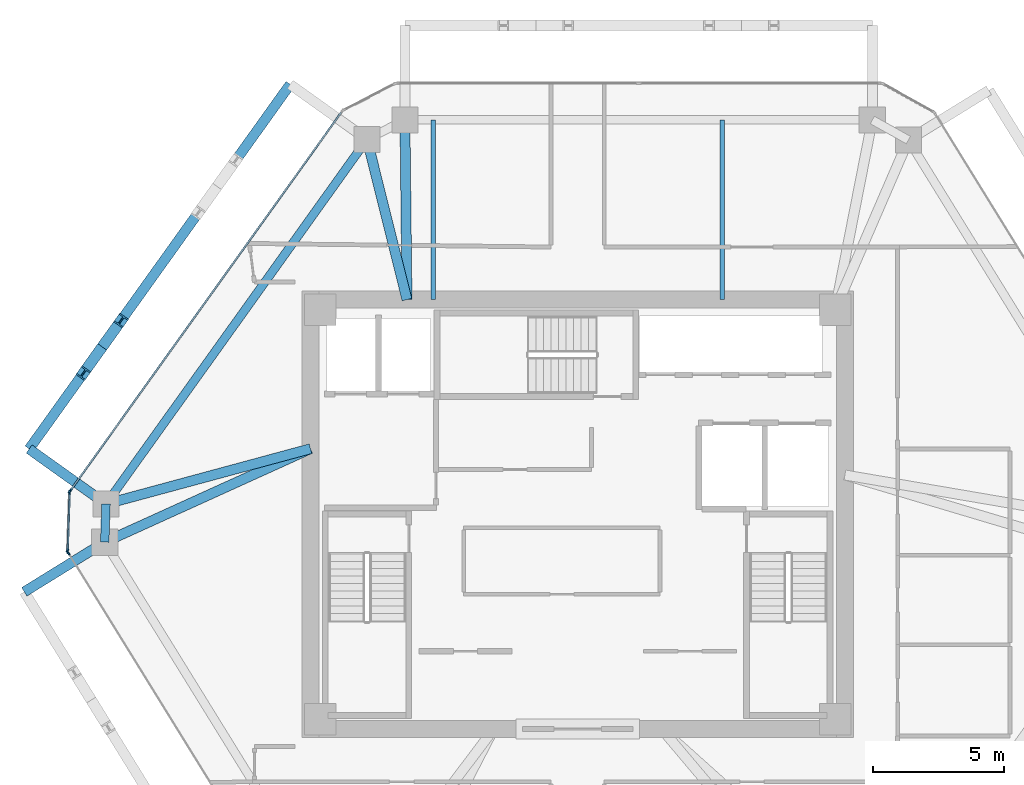
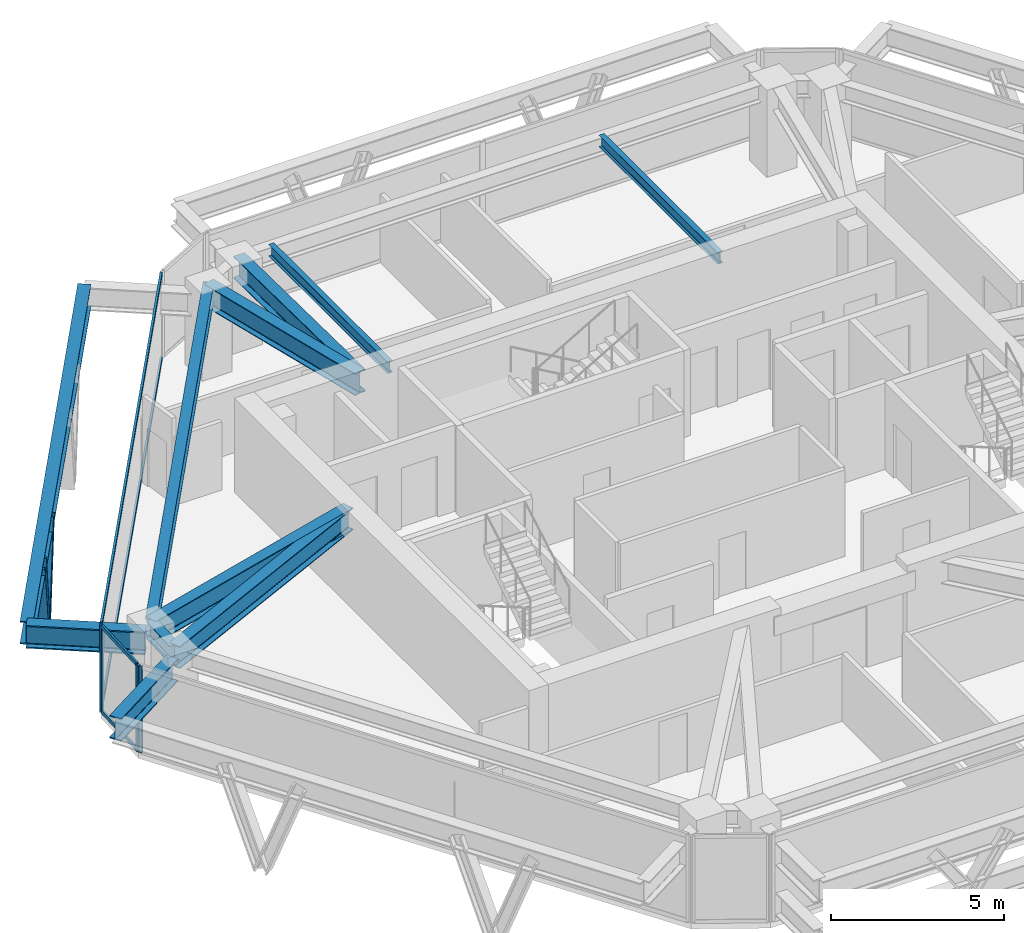
# One storey, part 4 of 11: 11 beams, 10 members, 3 elements without a shape of their own.
"""IFC4 building model written with IfcOpenShell, lengths in metres."""

from ifc_helpers import new_model, si_unit, direction, frame, origin, origin_2d, place, context, subcontext, project, spatial, rectangle, i_section, extrude, source, transform, mapped, material, layer, layer_set, material_profile, profile_set, type_object, type_shapes, element, aggregate, save


model = new_model("IFC4")

# Units and contexts
model_context = context("Model", 3, precision=1e-05, world=origin(), true_north=direction((0.0, 1.0)))
body_context = subcontext(model_context, "Body", "Model", "MODEL_VIEW")
ifc_project = project(units=[si_unit("LENGTHUNIT", "METRE"), si_unit("AREAUNIT", "SQUARE_METRE"), si_unit("VOLUMEUNIT", "CUBIC_METRE"), si_unit("PLANEANGLEUNIT", "RADIAN"), si_unit("MASSUNIT", "GRAM", prefix="KILO")], contexts=[model_context])

# Site, building, storey
site_placement = place(None, origin())
site = spatial("IfcSite", under=ifc_project, at=site_placement, CompositionType="ELEMENT")
building_placement = place(site_placement, origin())
building = spatial("IfcBuilding", under=site, at=building_placement, Name="Durnholm Broadcast Tower", CompositionType="ELEMENT")
storey_placement = place(building_placement, frame((0.0, 0.0, 170.5)))
storey = spatial("IfcBuildingStorey", under=building, at=storey_placement, Name="L46", CompositionType="ELEMENT", Elevation=170.5)

# Beams
ifc_material_1 = material(Name="Steel ASTM A992 Grade 50", Category="steel")
ifc_material_profile_1 = material_profile(ifc_material_1, i_section(OverallWidth=0.385009765625, OverallDepth=0.802978515625, WebThickness=0.023681640625, FlangeThickness=0.0419921875, FilletRadius=0.032958984375, at=origin_2d()), Name="W30X261")
ifc_profile_set_1 = profile_set([ifc_material_profile_1], Name="Steel ASTM A992 Grade 50")
beam_type_1 = type_object("IfcBeamType", Name="BM-EXO-TIE", PredefinedType="USERDEFINED", material=ifc_profile_set_1)
shared_shape_1 = source(origin(), body_context, "Body", "SweptSolid", [
    extrude(i_section(OverallWidth=0.385009765625, OverallDepth=0.802978515625, WebThickness=0.023681640625, FlangeThickness=0.0419921875, FilletRadius=0.032958984375, at=origin_2d()), origin(), (0.0, 0.0, 1.0), 3.4560546875),
])
beam_1_placement = place(storey_placement, frame((-18.131591796875, -1.13232421875, 2.30859375), z_axis=(-0.850662348375, -0.525712439512, 0.0), x_axis=(0.525712439512, -0.850662348375, 0.0)))
element("IfcBeam", 1, at=beam_1_placement, inside=storey, type_object=beam_type_1, Name="L46 exoskeleton stand-off tie bracket F6.1", ObjectType="GIRDER", PredefinedType="USERDEFINED", context=body_context, shape_type="MappedRepresentation", body=[
    mapped(shared_shape_1, transform((0.0, 0.0, 0.0), x_axis=(1.0, 0.0, 0.0), y_axis=(0.0, 1.0, 0.0), z_axis=(0.0, 0.0, 1.0), scale=1.0)),
])
shared_shape_2 = source(origin(), body_context, "Body", "SweptSolid", [
    extrude(i_section(OverallWidth=0.385009765625, OverallDepth=0.802978515625, WebThickness=0.023681640625, FlangeThickness=0.0419921875, FilletRadius=0.032958984375, at=origin_2d()), origin(), (0.0, 0.0, 1.0), 3.455810546875),
])
beam_2_placement = place(storey_placement, frame((-18.076904296875, 0.4794921875, 2.30859375), z_axis=(-0.813112485828, 0.582106592808, 0.0), x_axis=(-0.582106592808, -0.813112485828, 0.0)))
element("IfcBeam", 2, at=beam_2_placement, inside=storey, type_object=beam_type_1, Name="L46 exoskeleton stand-off tie bracket F5.2", ObjectType="GIRDER", PredefinedType="USERDEFINED", context=body_context, shape_type="MappedRepresentation", body=[
    mapped(shared_shape_2, transform((0.0, 0.0, 0.0), x_axis=(1.0, 0.0, 0.0), y_axis=(0.0, 1.0, 0.0), z_axis=(0.0, 0.0, 1.0), scale=1.0)),
])
ifc_material_profile_2 = material_profile(ifc_material_1, i_section(OverallWidth=0.3251953125, OverallDepth=0.6162109375, WebThickness=0.013916015625, FlangeThickness=0.021484375, FilletRadius=0.02783203125, at=origin_2d()), Name="W24X117")
ifc_profile_set_2 = profile_set([ifc_material_profile_2], Name="Steel ASTM A992 Grade 50")
beam_type_2 = type_object("IfcBeamType", Name="STL-SP-W24X117", PredefinedType="SPANDREL", material=ifc_profile_set_2)
shared_shape_3 = source(origin(), body_context, "Body", "SweptSolid", [
    extrude(i_section(OverallWidth=0.3251953125, OverallDepth=0.6162109375, WebThickness=0.013916015625, FlangeThickness=0.021484375, FilletRadius=0.02783203125, at=origin_2d()), origin(), (0.0, 0.0, 1.0), 1.452880859375),
])
beam_3_placement = place(storey_placement, frame((-18.009033203125, -1.056640625, 2.73681640625), z_axis=(0.03377359304, 0.999429509477, 0.0), x_axis=(-0.999429509477, 0.03377359304, 0.0)))
element("IfcBeam", 3, at=beam_3_placement, inside=storey, type_object=beam_type_2, Name="L46 perimeter spandrel girder 02", PredefinedType="SPANDREL", context=body_context, shape_type="MappedRepresentation", body=[
    mapped(shared_shape_3, transform((0.0, 0.0, 0.0), x_axis=(1.0, 0.0, 0.0), y_axis=(0.0, 1.0, 0.0), z_axis=(0.0, 0.0, 1.0), scale=1.0)),
])
shared_shape_4 = source(origin(), body_context, "Body", "SweptSolid", [
    extrude(i_section(OverallWidth=0.3251953125, OverallDepth=0.6162109375, WebThickness=0.013916015625, FlangeThickness=0.021484375, FilletRadius=0.02783203125, at=origin_2d()), origin(), (0.0, 0.0, 1.0), 17.07177734375),
])
type_shapes(beam_type_2, [shared_shape_3, shared_shape_4])
beam_4_placement = place(storey_placement, frame((-17.9599609375, 0.3955078125, 2.73681640625), z_axis=(0.582142843258, 0.813086532937, 0.0), x_axis=(-0.813086532937, 0.582142843258, 0.0)))
element("IfcBeam", 4, at=beam_4_placement, inside=storey, type_object=beam_type_2, Name="L46 perimeter spandrel girder 03", PredefinedType="SPANDREL", context=body_context, shape_type="MappedRepresentation", body=[
    mapped(shared_shape_4, transform((0.0, 0.0, 0.0), x_axis=(1.0, 0.0, 0.0), y_axis=(0.0, 1.0, 0.0), z_axis=(0.0, 0.0, 1.0), scale=1.0)),
])
shared_shape_5 = source(origin(), body_context, "Body", "SweptSolid", [
    extrude(i_section(OverallWidth=0.385009765625, OverallDepth=0.802978515625, WebThickness=0.023681640625, FlangeThickness=0.0419921875, FilletRadius=0.032958984375, at=origin_2d()), origin(), (0.0, 0.0, 1.0), 17.07177734375),
])
type_shapes(beam_type_1, [shared_shape_1, shared_shape_2, shared_shape_5])
beam_5_placement = place(storey_placement, frame((-10.948974609375, 16.3720703125, 2.30859375), z_axis=(-0.582133388739, -0.813093301974, 0.0), x_axis=(0.813093301974, -0.582133388739, 0.0)))
element("IfcBeam", 5, at=beam_5_placement, inside=storey, type_object=beam_type_1, Name="L46 exoskeleton collector spandrel F5", PredefinedType="SPANDREL", context=body_context, shape_type="MappedRepresentation", body=[
    mapped(shared_shape_5, transform((0.0, 0.0, 0.0), x_axis=(1.0, 0.0, 0.0), y_axis=(0.0, 1.0, 0.0), z_axis=(0.0, 0.0, 1.0), scale=1.0)),
])
ifc_material_profile_3 = material_profile(ifc_material_1, i_section(OverallWidth=0.380615234375, OverallDepth=0.773193359375, WebThickness=0.0166015625, FlangeThickness=0.027099609375, FilletRadius=0.032958984375, at=origin_2d()), Name="W30X173")
ifc_profile_set_3 = profile_set([ifc_material_profile_3], Name="Steel ASTM A992 Grade 50")
beam_type_3 = type_object("IfcBeamType", Name="STL-GR-W30X173", PredefinedType="USERDEFINED", material=ifc_profile_set_3)
shared_shape_6 = source(origin(), body_context, "Body", "SweptSolid", [
    extrude(i_section(OverallWidth=0.380615234375, OverallDepth=0.773193359375, WebThickness=0.0166015625, FlangeThickness=0.027099609375, FilletRadius=0.032958984375, at=origin_2d()), origin(), (0.0, 0.0, 1.0), 8.603515625),
])
beam_6_placement = place(storey_placement, frame((-10.175048828125, 2.5, 2.658447265625), z_axis=(-0.910552971728, -0.413392411248, 0.0), x_axis=(0.413392411248, -0.910552971728, 0.0)))
element("IfcBeam", 6, at=beam_6_placement, inside=storey, type_object=beam_type_3, Name="L46 radial primary floor girder 02", ObjectType="GIRDER", PredefinedType="USERDEFINED", context=body_context, shape_type="MappedRepresentation", body=[
    mapped(shared_shape_6, transform((0.0, 0.0, 0.0), x_axis=(1.0, 0.0, 0.0), y_axis=(0.0, 1.0, 0.0), z_axis=(0.0, 0.0, 1.0), scale=1.0)),
])
shared_shape_7 = source(origin(), body_context, "Body", "SweptSolid", [
    extrude(i_section(OverallWidth=0.380615234375, OverallDepth=0.773193359375, WebThickness=0.0166015625, FlangeThickness=0.027099609375, FilletRadius=0.032958984375, at=origin_2d()), origin(), (0.0, 0.0, 1.0), 8.064453125),
])
beam_7_placement = place(storey_placement, frame((-10.175048828125, 2.5, 2.658447265625), z_axis=(-0.96534896552, -0.260962401066, 0.0), x_axis=(0.260962401066, -0.96534896552, 0.0)))
element("IfcBeam", 7, at=beam_7_placement, inside=storey, type_object=beam_type_3, Name="L46 radial primary floor girder 03", ObjectType="GIRDER", PredefinedType="USERDEFINED", context=body_context, shape_type="MappedRepresentation", body=[
    mapped(shared_shape_7, transform((0.0, 0.0, 0.0), x_axis=(1.0, 0.0, 0.0), y_axis=(0.0, 1.0, 0.0), z_axis=(0.0, 0.0, 1.0), scale=1.0)),
])
shared_shape_8 = source(origin(), body_context, "Body", "SweptSolid", [
    extrude(i_section(OverallWidth=0.380615234375, OverallDepth=0.773193359375, WebThickness=0.0166015625, FlangeThickness=0.027099609375, FilletRadius=0.032958984375, at=origin_2d()), origin(), (0.0, 0.0, 1.0), 6.288330078125),
])
beam_8_placement = place(storey_placement, frame((-6.5, 8.175048828125, 2.658447265625), z_axis=(-0.241996604408, 0.970277096223, 0.0), x_axis=(-0.970277096223, -0.241996604408, 0.0)))
element("IfcBeam", 8, at=beam_8_placement, inside=storey, type_object=beam_type_3, Name="L46 radial primary floor girder 04", ObjectType="GIRDER", PredefinedType="USERDEFINED", context=body_context, shape_type="MappedRepresentation", body=[
    mapped(shared_shape_8, transform((0.0, 0.0, 0.0), x_axis=(1.0, 0.0, 0.0), y_axis=(0.0, 1.0, 0.0), z_axis=(0.0, 0.0, 1.0), scale=1.0)),
])
shared_shape_9 = source(origin(), body_context, "Body", "SweptSolid", [
    extrude(i_section(OverallWidth=0.380615234375, OverallDepth=0.773193359375, WebThickness=0.0166015625, FlangeThickness=0.027099609375, FilletRadius=0.032958984375, at=origin_2d()), origin(), (0.0, 0.0, 1.0), 6.843505859375),
])
type_shapes(beam_type_3, [shared_shape_6, shared_shape_7, shared_shape_8, shared_shape_9])
beam_9_placement = place(storey_placement, frame((-6.5, 8.175048828125, 2.658447265625), z_axis=(-0.011487343604, 0.999934018292, 0.0), x_axis=(-0.999934018292, -0.011487343604, 0.0)))
element("IfcBeam", 9, at=beam_9_placement, inside=storey, type_object=beam_type_3, Name="L46 radial primary floor girder 05", ObjectType="GIRDER", PredefinedType="USERDEFINED", context=body_context, shape_type="MappedRepresentation", body=[
    mapped(shared_shape_9, transform((0.0, 0.0, 0.0), x_axis=(1.0, 0.0, 0.0), y_axis=(0.0, 1.0, 0.0), z_axis=(0.0, 0.0, 1.0), scale=1.0)),
])
ifc_material_profile_4 = material_profile(ifc_material_1, i_section(OverallWidth=0.177734375, OverallDepth=0.40673828125, WebThickness=0.0078125, FlangeThickness=0.0126953125, FilletRadius=0.01904296875, at=origin_2d()), Name="W16X40")
ifc_profile_set_4 = profile_set([ifc_material_profile_4], Name="Steel ASTM A992 Grade 50")
beam_type_4 = type_object("IfcBeamType", Name="STL-BJ-W16X40", PredefinedType="JOIST", material=ifc_profile_set_4)
shared_shape_10 = source(origin(), body_context, "Body", "SweptSolid", [
    extrude(i_section(OverallWidth=0.177734375, OverallDepth=0.40673828125, WebThickness=0.0078125, FlangeThickness=0.0126953125, FilletRadius=0.01904296875, at=origin_2d()), origin(), (0.0, 0.0, 1.0), 6.843017578125),
])
type_shapes(beam_type_4, [shared_shape_10])
for number, where, z_axis, x_axis, name in (
    (10, (-5.5, 8.175048828125, 2.841796875), (0.0, 1.0, 0.0), (-1.0, 0.0, 0.0), "L46 secondary floor joist 3.2"),
    (11, (5.5, 8.175048828125, 2.841796875), (0.0, 1.0, 0.0), (-1.0, 0.0, 0.0), "L46 secondary floor joist 4.2"),
):
    element("IfcBeam", number, at=place(storey_placement, frame(where, z_axis=z_axis, x_axis=x_axis)), inside=storey, type_object=beam_type_4, Name=name, PredefinedType="JOIST", context=body_context, shape_type="MappedRepresentation", body=[
        mapped(shared_shape_10, transform((0.0, 0.0, 0.0), x_axis=(1.0, 0.0, 0.0), y_axis=(0.0, 1.0, 0.0), z_axis=(0.0, 0.0, 1.0), scale=1.0)),
    ])

# Members
ifc_material_2 = material(Name="Steel ASTM A913 Grade 65", Category="steel")
ifc_material_profile_5 = material_profile(ifc_material_2, i_section(OverallWidth=0.412109375, OverallDepth=0.434814453125, WebThickness=0.035888671875, FlangeThickness=0.057373046875, FilletRadius=0.030517578125, at=origin_2d()), Name="W14X311")
ifc_profile_set_5 = profile_set([ifc_material_profile_5], Name="Steel ASTM A913 Grade 65")
member_type_1 = type_object("IfcMemberType", Name="STL-DG-W14X311", PredefinedType="BRACE", material=ifc_profile_set_5)
shared_shape_11 = source(origin(), body_context, "Body", "SweptSolid", [
    extrude(i_section(OverallWidth=0.412109375, OverallDepth=0.434814453125, WebThickness=0.035888671875, FlangeThickness=0.057373046875, FilletRadius=0.030517578125, at=origin_2d()), origin(), (0.0, 0.0, 1.0), 3.523193359375),
])
type_shapes(member_type_1, [shared_shape_11])
for number, where, z_axis, x_axis, name in (
    (12, (-18.1044921875, 6.3779296875, -0.991455078125), (0.203869234398, 0.284737826017, 0.936675880815), (-0.813077820009, 0.582155012526, 0.0), "L46 stand-off diagrid brace F5.D2.1"),
    (13, (-18.1044921875, 6.3779296875, -0.991455078125), (-0.203802816986, -0.284741848009, 0.936689111595), (0.813171482985, -0.58202417412, 0.0), "L46 stand-off diagrid brace F5.D2.2"),
):
    element("IfcMember", number, at=place(storey_placement, frame(where, z_axis=z_axis, x_axis=x_axis)), inside=storey, type_object=member_type_1, Name=name, PredefinedType="BRACE", context=body_context, shape_type="MappedRepresentation", body=[
        mapped(shared_shape_11, transform((0.0, 0.0, 0.0), x_axis=(1.0, 0.0, 0.0), y_axis=(0.0, 1.0, 0.0), z_axis=(0.0, 0.0, 1.0), scale=1.0)),
    ])

# Curtain wall, members
ifc_material_3 = material(Name="Aluminium and Solar Control IGU", Category="aluminium")
ifc_layer_1 = layer(ifc_material_3, 0.1650390625)
ifc_layer_set_1 = layer_set([ifc_layer_1], Name="Aluminium and Solar Control IGU")
curtain_wall_type_1 = type_object("IfcCurtainWallType", Name="CW-SYS-5", PredefinedType="NOTDEFINED", material=ifc_layer_set_1)
curtain_wall_1_placement = place(storey_placement, origin())
curtain_wall_1 = element("IfcCurtainWall", 14, at=curtain_wall_1_placement, inside=storey, type_object=curtain_wall_type_1, Name="L46 curtain wall CW-CORNER CW-L46-CRN-01", PredefinedType="NOTDEFINED")
ifc_material_4 = material(Name="Aluminium 6063-T6", Category="aluminium")
ifc_material_profile_6 = material_profile(ifc_material_4, rectangle(XDim=0.06494140625, YDim=0.1650390625, at=origin_2d()), Name="CWM65X165")
ifc_profile_set_6 = profile_set([ifc_material_profile_6], Name="Aluminium 6063-T6")
member_type_2 = type_object("IfcMemberType", Name="CW-SYS-5-MUL", PredefinedType="MULLION", material=ifc_profile_set_6)
shared_shape_12 = source(origin(), body_context, "Body", "SweptSolid", [
    extrude(rectangle(XDim=0.06494140625, YDim=0.1650390625, at=origin_2d()), origin(), (0.0, 0.0, 1.0), 3.06005859375),
])
type_shapes(member_type_2, [shared_shape_12])
member_1_placement = place(storey_placement, frame((-19.421630859375, -1.39990234375, 0.0), z_axis=(0.0, 0.0, 1.0), x_axis=(-0.999424798802, 0.033912704699, 0.0)))
member_1 = element("IfcMember", 15, at=member_1_placement, type_object=member_type_2, Name="CW-CORNER mullion 1", PredefinedType="MULLION", context=body_context, shape_type="MappedRepresentation", body=[
    mapped(shared_shape_12, transform((0.0, 0.0, 0.0), x_axis=(1.0, 0.0, 0.0), y_axis=(0.0, 1.0, 0.0), z_axis=(0.0, 0.0, 1.0), scale=1.0)),
])
member_2_placement = place(storey_placement, frame((-19.345703125, 0.833740234375, 0.0), z_axis=(0.0, 0.0, 1.0), x_axis=(-0.999424798802, 0.033912704699, 0.0)))
member_2 = element("IfcMember", 16, at=member_2_placement, type_object=member_type_2, Name="CW-CORNER mullion 2", PredefinedType="MULLION", context=body_context, shape_type="MappedRepresentation", body=[
    mapped(shared_shape_12, transform((0.0, 0.0, 0.0), x_axis=(1.0, 0.0, 0.0), y_axis=(0.0, 1.0, 0.0), z_axis=(0.0, 0.0, 1.0), scale=1.0)),
])
ifc_material_profile_7 = material_profile(ifc_material_4, rectangle(XDim=0.06494140625, YDim=0.1298828125, at=origin_2d()), Name="CWT65X130")
ifc_profile_set_7 = profile_set([ifc_material_profile_7], Name="Aluminium 6063-T6")
member_type_3 = type_object("IfcMemberType", Name="CW-SYS-5-TRN", PredefinedType="USERDEFINED", material=ifc_profile_set_7)
shared_shape_13 = source(origin(), body_context, "Body", "SweptSolid", [
    extrude(rectangle(XDim=0.06494140625, YDim=0.1298828125, at=origin_2d()), origin(), (0.0, 0.0, 1.0), 2.169921875),
])
type_shapes(member_type_3, [shared_shape_13])
member_3_placement = place(storey_placement, frame((-19.42041015625, -1.367431640625, 0.032470703125), z_axis=(0.033865512339, 0.999426399028, 0.0), x_axis=(-0.999426399028, 0.033865512339, 0.0)))
member_3 = element("IfcMember", 17, at=member_3_placement, type_object=member_type_3, Name="CW-CORNER transom 1.1", ObjectType="TRANSOM", PredefinedType="USERDEFINED", context=body_context, shape_type="MappedRepresentation", body=[
    mapped(shared_shape_13, transform((0.0, 0.0, 0.0), x_axis=(1.0, 0.0, 0.0), y_axis=(0.0, 1.0, 0.0), z_axis=(0.0, 0.0, 1.0), scale=1.0)),
])
member_4_placement = place(storey_placement, frame((-19.42041015625, -1.367431640625, 3.027587890625), z_axis=(0.033865512339, 0.999426399028, 0.0), x_axis=(-0.999426399028, 0.033865512339, 0.0)))
member_4 = element("IfcMember", 18, at=member_4_placement, type_object=member_type_3, Name="CW-CORNER transom 1.2", ObjectType="TRANSOM", PredefinedType="USERDEFINED", context=body_context, shape_type="MappedRepresentation", body=[
    mapped(shared_shape_13, transform((0.0, 0.0, 0.0), x_axis=(1.0, 0.0, 0.0), y_axis=(0.0, 1.0, 0.0), z_axis=(0.0, 0.0, 1.0), scale=1.0)),
])
aggregate(curtain_wall_1, [member_1, member_2, member_3, member_4])

ifc_layer_2 = layer(ifc_material_3, 0.18994140625)
ifc_layer_set_2 = layer_set([ifc_layer_2], Name="Aluminium and Solar Control IGU")
curtain_wall_type_2 = type_object("IfcCurtainWallType", Name="CW-SYS-4", PredefinedType="NOTDEFINED", material=ifc_layer_set_2)
curtain_wall_2_placement = place(storey_placement, origin())
curtain_wall_2 = element("IfcCurtainWall", 19, at=curtain_wall_2_placement, inside=storey, type_object=curtain_wall_type_2, Name="L46 curtain wall CW-Z34-VIS CW-L46-F02", PredefinedType="NOTDEFINED")
ifc_material_profile_8 = material_profile(ifc_material_4, rectangle(XDim=0.070068359375, YDim=0.14990234375, at=origin_2d()), Name="CWT70X150")
ifc_profile_set_8 = profile_set([ifc_material_profile_8], Name="Aluminium 6063-T6")
member_type_4 = type_object("IfcMemberType", Name="CW-SYS-4-TRN", PredefinedType="USERDEFINED", material=ifc_profile_set_8)
shared_shape_14 = source(origin(), body_context, "Body", "SweptSolid", [
    extrude(rectangle(XDim=0.070068359375, YDim=0.14990234375, at=origin_2d()), origin(), (0.0, 0.0, 1.0), 17.69384765625),
])
type_shapes(member_type_4, [shared_shape_14])
member_5_placement = place(storey_placement, frame((-19.303955078125, 0.923095703125, 0.034912109375), z_axis=(0.582138438195, 0.813089686797, 0.0), x_axis=(-0.813089686797, 0.582138438195, 0.0)))
member_5 = element("IfcMember", 20, at=member_5_placement, type_object=member_type_4, Name="CW-Z34-VIS transom 1.1", ObjectType="TRANSOM", PredefinedType="USERDEFINED", context=body_context, shape_type="MappedRepresentation", body=[
    mapped(shared_shape_14, transform((0.0, 0.0, 0.0), x_axis=(1.0, 0.0, 0.0), y_axis=(0.0, 1.0, 0.0), z_axis=(0.0, 0.0, 1.0), scale=1.0)),
])
member_6_placement = place(storey_placement, frame((-19.303955078125, 0.923095703125, 3.02490234375), z_axis=(0.582138438195, 0.813089686797, 0.0), x_axis=(-0.813089686797, 0.582138438195, 0.0)))
member_6 = element("IfcMember", 21, at=member_6_placement, type_object=member_type_4, Name="CW-Z34-VIS transom 1.2", ObjectType="TRANSOM", PredefinedType="USERDEFINED", context=body_context, shape_type="MappedRepresentation", body=[
    mapped(shared_shape_14, transform((0.0, 0.0, 0.0), x_axis=(1.0, 0.0, 0.0), y_axis=(0.0, 1.0, 0.0), z_axis=(0.0, 0.0, 1.0), scale=1.0)),
])
ifc_material_profile_9 = material_profile(ifc_material_4, rectangle(XDim=0.070068359375, YDim=0.18994140625, at=origin_2d()), Name="CWM70X190")
ifc_profile_set_9 = profile_set([ifc_material_profile_9], Name="Aluminium 6063-T6")
member_type_5 = type_object("IfcMemberType", Name="CW-SYS-4-MUL", PredefinedType="MULLION", material=ifc_profile_set_9)
shared_shape_15 = source(origin(), body_context, "Body", "SweptSolid", [
    extrude(rectangle(XDim=0.070068359375, YDim=0.18994140625, at=origin_2d()), origin(), (0.0, 0.0, 1.0), 3.06005859375),
])
type_shapes(member_type_5, [shared_shape_15])
member_7_placement = place(storey_placement, frame((-19.32421875, 0.894775390625, 0.0), z_axis=(0.0, 0.0, 1.0), x_axis=(-0.813089262696, 0.582139030549, 0.0)))
member_7 = element("IfcMember", 22, at=member_7_placement, type_object=member_type_5, Name="CW-Z34-VIS mullion 1", PredefinedType="MULLION", context=body_context, shape_type="MappedRepresentation", body=[
    mapped(shared_shape_15, transform((0.0, 0.0, 0.0), x_axis=(1.0, 0.0, 0.0), y_axis=(0.0, 1.0, 0.0), z_axis=(0.0, 0.0, 1.0), scale=1.0)),
])
aggregate(curtain_wall_2, [member_7, member_5, member_6])

# Curtain wall, member
curtain_wall_3_placement = place(storey_placement, origin())
curtain_wall_3 = element("IfcCurtainWall", 23, at=curtain_wall_3_placement, inside=storey, type_object=curtain_wall_type_2, Name="L46 curtain wall CW-Z34-VIS CW-L46-F12", PredefinedType="NOTDEFINED")
member_8_placement = place(storey_placement, frame((-19.404296875, -1.462158203125, 0.0), z_axis=(0.0, 0.0, 1.0), x_axis=(-0.850671426092, -0.525697750452, 0.0)))
member_8 = element("IfcMember", 24, at=member_8_placement, type_object=member_type_5, Name="CW-Z34-VIS mullion 2", PredefinedType="MULLION", context=body_context, shape_type="MappedRepresentation", body=[
    mapped(shared_shape_15, transform((0.0, 0.0, 0.0), x_axis=(1.0, 0.0, 0.0), y_axis=(0.0, 1.0, 0.0), z_axis=(0.0, 0.0, 1.0), scale=1.0)),
])
aggregate(curtain_wall_3, [member_8])

save(model, "model.ifc")
